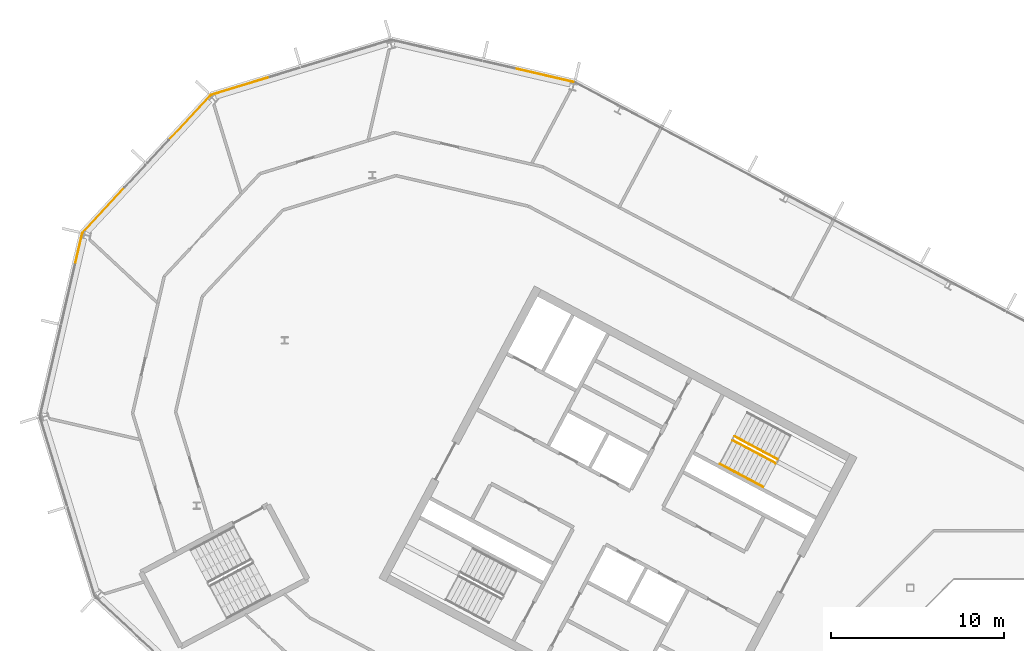
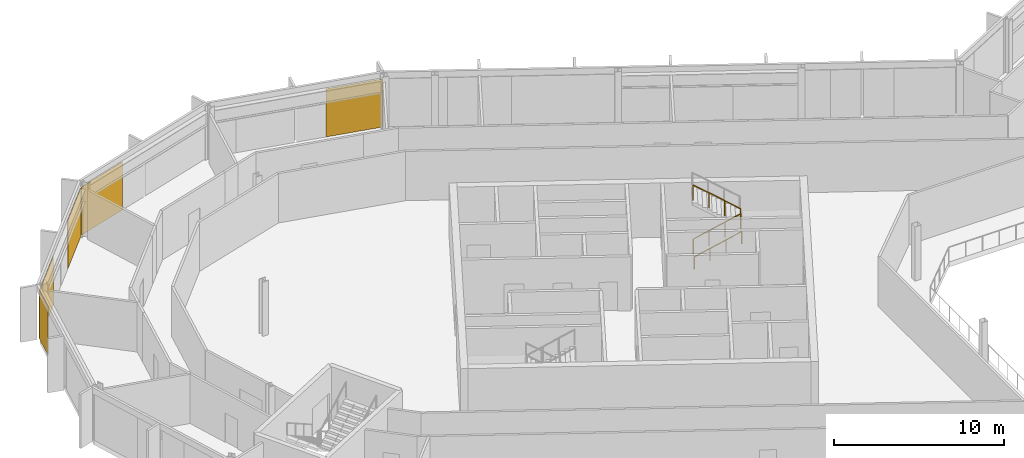
# One storey, part 22 of 26: 5 coverings, 3 railings, 4 elements without a shape of their own.
"""IFC4 building model written with IfcOpenShell, lengths in metres."""

from ifc_helpers import new_model, si_unit, direction, frame, origin, origin_2d, place, context, subcontext, project, spatial, polyline, rectangle, outline, extrude, material, layer, layer_set, type_object, element, aggregate, save


model = new_model("IFC4")

# Units and contexts
model_context = context("Model", 3, precision=1e-05, world=origin(), true_north=direction((0.0, 1.0)))
body_context = subcontext(model_context, "Body", "Model", "MODEL_VIEW")
ifc_project = project(units=[si_unit("LENGTHUNIT", "METRE"), si_unit("AREAUNIT", "SQUARE_METRE"), si_unit("VOLUMEUNIT", "CUBIC_METRE"), si_unit("PLANEANGLEUNIT", "RADIAN"), si_unit("MASSUNIT", "GRAM", prefix="KILO")], contexts=[model_context])

# Site, building, storey
site_placement = place(None, origin())
site = spatial("IfcSite", under=ifc_project, at=site_placement, CompositionType="ELEMENT")
building_placement = place(site_placement, origin())
building = spatial("IfcBuilding", under=site, at=building_placement, Name="Cormorant Relay Tower", CompositionType="ELEMENT")
storey_placement = place(building_placement, frame((0.0, 0.0, 308.699951171875)))
storey = spatial("IfcBuildingStorey", under=building, at=storey_placement, Name="L70", CompositionType="ELEMENT", Elevation=308.699951171875)

# Curtain wall, covering
ifc_material_1 = material(Name="Aluminium 6063-T6 anodised bronze", Category="aluminium")
ifc_layer_1 = layer(ifc_material_1, 0.199951171875)
ifc_layer_set_1 = layer_set([ifc_layer_1], Name="CW1 unitised bronze curtain wall with vertical fins")
curtain_wall_type = type_object("IfcCurtainWallType", Name="CW1 unitised bronze curtain wall with vertical fins", PredefinedType="NOTDEFINED", material=ifc_layer_set_1)
curtain_wall_1_placement = place(storey_placement, origin())
curtain_wall_1 = element("IfcCurtainWall", 1, at=curtain_wall_1_placement, inside=storey, type_object=curtain_wall_type, Name="CW1 curtain wall 10", PredefinedType="NOTDEFINED")
ifc_material_2 = material(Name="Pale bronze anodised aluminium insulated panel", Category="aluminium")
ifc_layer_2 = layer(ifc_material_2, 0.0400390625)
ifc_layer_set_2 = layer_set([ifc_layer_2], Name="CW1 pale bronze insulated panel 40")
covering_type = type_object("IfcCoveringType", Name="CW1 pale bronze insulated panel 40", PredefinedType="CLADDING", material=ifc_layer_set_2)
covering_1_placement = place(storey_placement, frame((-31.640380859375, 40.096435546875, 0.0), z_axis=(0.0, 0.0, 1.0), x_axis=(-0.974370064785, 0.224951054344, 0.0)))
covering_1 = element("IfcCovering", 2, at=covering_1_placement, type_object=covering_type, Name="CW1 panel S00", PredefinedType="CLADDING", context=body_context, shape_type="SweptSolid", body=[
    extrude(rectangle(XDim=3.485107421875, YDim=0.0400390625, at=origin_2d()), origin(), (0.0, 0.0, 1.0), 3.449951171875),
])
aggregate(curtain_wall_1, [covering_1])

curtain_wall_2_placement = place(storey_placement, origin())
curtain_wall_2 = element("IfcCurtainWall", 3, at=curtain_wall_2_placement, inside=storey, type_object=curtain_wall_type, Name="CW1 curtain wall 11", PredefinedType="NOTDEFINED")
covering_2_placement = place(storey_placement, frame((-49.16455078125, 39.474853515625, 0.0), z_axis=(0.0, 0.0, 1.0), x_axis=(-0.956304755963, -0.292371704723, 0.0)))
covering_2 = element("IfcCovering", 4, at=covering_2_placement, type_object=covering_type, Name="CW1 panel S02", PredefinedType="CLADDING", context=body_context, shape_type="SweptSolid", body=[
    extrude(rectangle(XDim=3.560302734375, YDim=0.0400390625, at=origin_2d()), origin(), (0.0, 0.0, 1.0), 3.449951171875),
])
aggregate(curtain_wall_2, [covering_2])

# Curtain wall, coverings
curtain_wall_3_placement = place(storey_placement, origin())
curtain_wall_3 = element("IfcCurtainWall", 5, at=curtain_wall_3_placement, inside=storey, type_object=curtain_wall_type, Name="CW1 curtain wall 12", PredefinedType="NOTDEFINED")
covering_3_placement = place(storey_placement, frame((-52.115234375, 37.61962890625, 0.0), z_axis=(0.0, 0.0, 1.0), x_axis=(-0.681998360062, -0.731353701619, 0.0)))
covering_3 = element("IfcCovering", 6, at=covering_3_placement, type_object=covering_type, Name="CW1 panel S00", PredefinedType="CLADDING", context=body_context, shape_type="SweptSolid", body=[
    extrude(rectangle(XDim=3.485107421875, YDim=0.0400390625, at=origin_2d()), origin(), (0.0, 0.0, 1.0), 3.449951171875),
])
covering_4_placement = place(storey_placement, frame((-57.0751953125, 32.300537109375, 0.0), z_axis=(0.0, 0.0, 1.0), x_axis=(-0.681998360062, -0.731353701619, 0.0)))
covering_4 = element("IfcCovering", 7, at=covering_4_placement, type_object=covering_type, Name="CW1 panel S03", PredefinedType="CLADDING", context=body_context, shape_type="SweptSolid", body=[
    extrude(rectangle(XDim=3.560302734375, YDim=0.0400390625, at=origin_2d()), origin(), (0.0, 0.0, 1.0), 3.449951171875),
])
aggregate(curtain_wall_3, [covering_3, covering_4])

# Curtain wall, covering
curtain_wall_4_placement = place(storey_placement, origin())
curtain_wall_4 = element("IfcCurtainWall", 8, at=curtain_wall_4_placement, inside=storey, type_object=curtain_wall_type, Name="CW1 curtain wall 13", PredefinedType="NOTDEFINED")
covering_5_placement = place(storey_placement, frame((-58.50048828125, 30.095458984375, 0.0), z_axis=(0.0, 0.0, 1.0), x_axis=(-0.224951054344, -0.974370064785, 0.0)))
covering_5 = element("IfcCovering", 9, at=covering_5_placement, type_object=covering_type, Name="CW1 panel S00", PredefinedType="CLADDING", context=body_context, shape_type="SweptSolid", body=[
    extrude(rectangle(XDim=1.685302734375, YDim=0.0400390625, at=origin_2d()), origin(), (0.0, 0.0, 1.0), 3.449951171875),
])
aggregate(curtain_wall_4, [covering_5])

# Railings
ifc_material_3 = material(Name="Steel ASTM A572 Grade 50 (Fy 345 MPa)", Category="steel")
railing_type_1 = type_object("IfcRailingType", Name="Stair guard 1100", PredefinedType="GUARDRAIL", material=ifc_material_3)
railing_1_placement = place(storey_placement, frame((-20.75048828125, 19.017822265625, 0.17724609375)))
element("IfcRailing", 10, at=railing_1_placement, inside=storey, type_object=railing_type_1, Name="L70 A1 stair guard 1", PredefinedType="GUARDRAIL", context=body_context, shape_type="SweptSolid", body=[
    extrude(outline(polyline([(0.022216796875, 0.00927734375), (0.00927734375, 0.022216796875), (-0.00927734375, 0.022216796875), (-0.022216796875, 0.00927734375), (-0.022216796875, -0.00927734375), (-0.00927734375, -0.022216796875), (0.00927734375, -0.022216796875), (0.022216796875, -0.00927734375), (0.022216796875, 0.00927734375)])), frame((0.0, 0.0, 1.076171875), z_axis=(0.746001213114, -0.396649272309, 0.534931345884), x_axis=(0.469465464807, 0.882950835185, 0.0)), (0.0, 0.0, 1.0), 3.31396484375),
    extrude(outline(polyline([(0.019287109375, 0.008056640625), (0.008056640625, 0.019287109375), (-0.008056640625, 0.019287109375), (-0.019287109375, 0.008056640625), (-0.019287109375, -0.008056640625), (-0.008056640625, -0.019287109375), (0.008056640625, -0.019287109375), (0.019287109375, -0.008056640625), (0.019287109375, 0.008056640625)])), origin(), (0.0, 0.0, 1.0), 1.052001953125),
    extrude(outline(polyline([(0.019287109375, 0.008056640625), (0.008056640625, 0.019287109375), (-0.008056640625, 0.019287109375), (-0.019287109375, 0.008056640625), (-0.019287109375, -0.008056640625), (-0.008056640625, -0.019287109375), (0.008056640625, -0.019287109375), (0.019287109375, -0.008056640625), (0.019287109375, 0.008056640625)])), frame((0.823974609375, -0.438232421875, 0.5908203125)), (0.0, 0.0, 1.0), 1.052001953125),
    extrude(outline(polyline([(0.019287109375, 0.008056640625), (0.008056640625, 0.019287109375), (-0.008056640625, 0.019287109375), (-0.019287109375, 0.008056640625), (-0.019287109375, -0.008056640625), (-0.008056640625, -0.019287109375), (0.008056640625, -0.019287109375), (0.019287109375, -0.008056640625), (0.019287109375, 0.008056640625)])), frame((1.648193359375, -0.876220703125, 1.181884765625)), (0.0, 0.0, 1.0), 1.052001953125),
    extrude(outline(polyline([(0.019287109375, 0.008056640625), (0.008056640625, 0.019287109375), (-0.008056640625, 0.019287109375), (-0.019287109375, 0.008056640625), (-0.019287109375, -0.008056640625), (-0.008056640625, -0.019287109375), (0.008056640625, -0.019287109375), (0.019287109375, -0.008056640625), (0.019287109375, 0.008056640625)])), frame((2.47216796875, -1.314453125, 1.772705078125)), (0.0, 0.0, 1.0), 1.052001953125),
])
railing_2_placement = place(storey_placement, frame((-18.160888671875, 17.924072265625, 2.12744140625)))
element("IfcRailing", 11, at=railing_2_placement, inside=storey, type_object=railing_type_1, Name="L70 A1 stair guard 3", PredefinedType="GUARDRAIL", context=body_context, shape_type="SweptSolid", body=[
    extrude(outline(polyline([(0.022216796875, 0.00927734375), (0.00927734375, 0.022216796875), (-0.00927734375, 0.022216796875), (-0.022216796875, 0.00927734375), (-0.022216796875, -0.00927734375), (-0.00927734375, -0.022216796875), (0.00927734375, -0.022216796875), (0.022216796875, -0.00927734375), (0.022216796875, 0.00927734375)])), frame((0.0, 0.0, 1.076171875), z_axis=(-0.746033882577, 0.396627473466, 0.534901947407), x_axis=(-0.469429322983, -0.882970050864, 0.0)), (0.0, 0.0, 1.0), 3.31396484375),
    extrude(outline(polyline([(0.019287109375, 0.008056640625), (0.008056640625, 0.019287109375), (-0.008056640625, 0.019287109375), (-0.019287109375, 0.008056640625), (-0.019287109375, -0.008056640625), (-0.008056640625, -0.019287109375), (0.008056640625, -0.019287109375), (0.019287109375, -0.008056640625), (0.019287109375, 0.008056640625)])), origin(), (0.0, 0.0, 1.0), 1.052001953125),
    extrude(outline(polyline([(0.019287109375, 0.008056640625), (0.008056640625, 0.019287109375), (-0.008056640625, 0.019287109375), (-0.019287109375, 0.008056640625), (-0.019287109375, -0.008056640625), (-0.008056640625, -0.019287109375), (0.008056640625, -0.019287109375), (0.019287109375, -0.008056640625), (0.019287109375, 0.008056640625)])), frame((-0.82421875, 0.438232421875, 0.5908203125)), (0.0, 0.0, 1.0), 1.052001953125),
    extrude(outline(polyline([(0.019287109375, 0.008056640625), (0.008056640625, 0.019287109375), (-0.008056640625, 0.019287109375), (-0.019287109375, 0.008056640625), (-0.019287109375, -0.008056640625), (-0.008056640625, -0.019287109375), (0.008056640625, -0.019287109375), (0.019287109375, -0.008056640625), (0.019287109375, 0.008056640625)])), frame((-1.648193359375, 0.876220703125, 1.181884765625)), (0.0, 0.0, 1.0), 1.052001953125),
    extrude(outline(polyline([(0.019287109375, 0.008056640625), (0.008056640625, 0.019287109375), (-0.008056640625, 0.019287109375), (-0.019287109375, 0.008056640625), (-0.019287109375, -0.008056640625), (-0.008056640625, -0.019287109375), (0.008056640625, -0.019287109375), (0.019287109375, -0.008056640625), (0.019287109375, 0.008056640625)])), frame((-2.472412109375, 1.314453125, 1.772705078125)), (0.0, 0.0, 1.0), 1.052001953125),
])
ifc_material_4 = material(Name="Steel ASTM A572 Grade 50 (Fy 345 MPa)", Category="steel")
railing_type_2 = type_object("IfcRailingType", Name="Stair handrail 900", PredefinedType="HANDRAIL", material=ifc_material_4)
railing_3_placement = place(storey_placement, frame((-21.478271484375, 17.6494140625, 0.17724609375)))
element("IfcRailing", 12, at=railing_3_placement, inside=storey, type_object=railing_type_2, Name="L70 A1 stair handrail 1", PredefinedType="HANDRAIL", context=body_context, shape_type="SweptSolid", body=[
    extrude(outline(polyline([(0.022216796875, 0.00927734375), (0.00927734375, 0.022216796875), (-0.00927734375, 0.022216796875), (-0.022216796875, 0.00927734375), (-0.022216796875, -0.00927734375), (-0.00927734375, -0.022216796875), (0.00927734375, -0.022216796875), (0.022216796875, -0.00927734375), (0.022216796875, 0.00927734375)])), frame((0.0, 0.0, 0.8759765625), z_axis=(0.746012083385, -0.396689549623, 0.534886317514), x_axis=(0.469497295046, 0.882933910293, 0.0)), (0.0, 0.0, 1.0), 3.314208984375),
    extrude(outline(polyline([(0.019287109375, 0.008056640625), (0.008056640625, 0.019287109375), (-0.008056640625, 0.019287109375), (-0.019287109375, 0.008056640625), (-0.019287109375, -0.008056640625), (-0.008056640625, -0.019287109375), (0.008056640625, -0.019287109375), (0.019287109375, -0.008056640625), (0.019287109375, 0.008056640625)])), origin(), (0.0, 0.0, 1.0), 0.851806640625),
    extrude(outline(polyline([(0.019287109375, 0.008056640625), (0.008056640625, 0.019287109375), (-0.008056640625, 0.019287109375), (-0.019287109375, 0.008056640625), (-0.019287109375, -0.008056640625), (-0.008056640625, -0.019287109375), (0.008056640625, -0.019287109375), (0.019287109375, -0.008056640625), (0.019287109375, 0.008056640625)])), frame((0.82421875, -0.438232421875, 0.5908203125)), (0.0, 0.0, 1.0), 0.851806640625),
    extrude(outline(polyline([(0.019287109375, 0.008056640625), (0.008056640625, 0.019287109375), (-0.008056640625, 0.019287109375), (-0.019287109375, 0.008056640625), (-0.019287109375, -0.008056640625), (-0.008056640625, -0.019287109375), (0.008056640625, -0.019287109375), (0.019287109375, -0.008056640625), (0.019287109375, 0.008056640625)])), frame((1.648193359375, -0.87646484375, 1.181884765625)), (0.0, 0.0, 1.0), 0.851806640625),
    extrude(outline(polyline([(0.019287109375, 0.008056640625), (0.008056640625, 0.019287109375), (-0.008056640625, 0.019287109375), (-0.019287109375, 0.008056640625), (-0.019287109375, -0.008056640625), (-0.008056640625, -0.019287109375), (0.008056640625, -0.019287109375), (0.019287109375, -0.008056640625), (0.019287109375, 0.008056640625)])), frame((2.472412109375, -1.314697265625, 1.772705078125)), (0.0, 0.0, 1.0), 0.851806640625),
])

save(model, "model.ifc")
